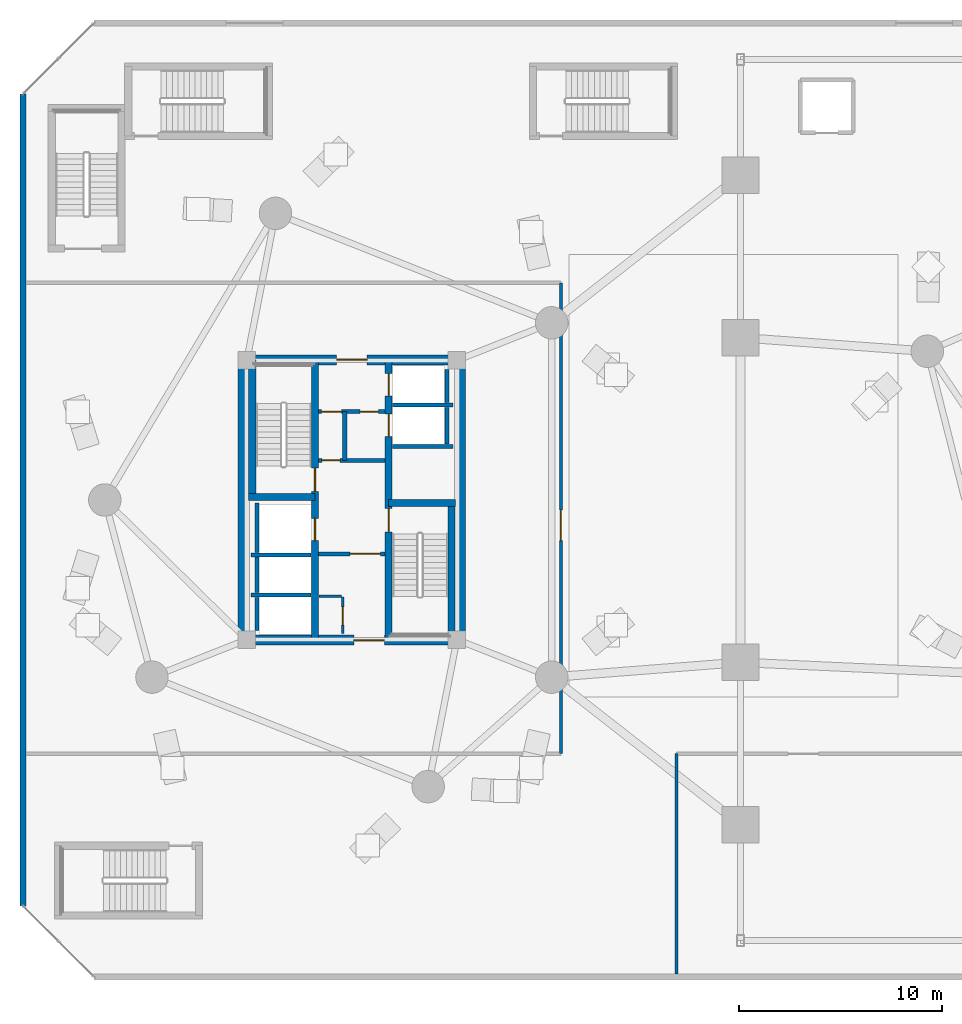
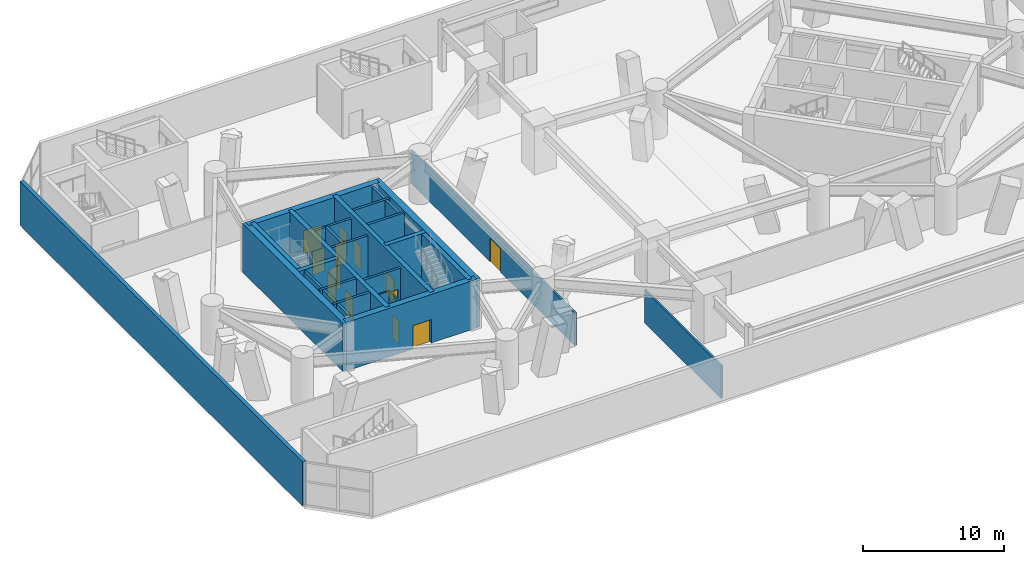
# One storey, part 11 of 20: 28 walls, 13 doors, 13 openings.
"""IFC4 building model written with IfcOpenShell, lengths in metres."""

from ifc_helpers import new_model, si_unit, direction, frame, frame_2d, origin, place, context, subcontext, project, spatial, rectangle, extrude, source, transform, mapped, material, layer, layer_set, type_object, element, fill, save


model = new_model("IFC4")

# Units and contexts
model_context = context("Model", 3, precision=1e-05, world=origin(), true_north=direction((0.0, 1.0)))
body_context = subcontext(model_context, "Body", "Model", "MODEL_VIEW")
ifc_project = project(units=[si_unit("LENGTHUNIT", "METRE"), si_unit("AREAUNIT", "SQUARE_METRE"), si_unit("VOLUMEUNIT", "CUBIC_METRE"), si_unit("PLANEANGLEUNIT", "RADIAN"), si_unit("MASSUNIT", "GRAM", prefix="KILO")], contexts=[model_context])

# Site, building, storey
site_placement = place(None, origin())
site = spatial("IfcSite", under=ifc_project, at=site_placement, CompositionType="ELEMENT")
building_placement = place(site_placement, origin())
building = spatial("IfcBuilding", under=site, at=building_placement, Name="Cununo Teusaquillo Station Towers", CompositionType="ELEMENT")
storey_placement = place(building_placement, frame((0.0, 0.0, 13.199951171875)))
storey = spatial("IfcBuildingStorey", under=building, at=storey_placement, Name="L03", CompositionType="ELEMENT", Elevation=13.199951171875)

# Walls
ifc_material_1 = material(Name="Concrete C50/60", Category="concrete")
ifc_layer_1 = layer(ifc_material_1, 0.199951171875)
ifc_layer_set_1 = layer_set([ifc_layer_1], Name="Concrete C50/60")
wall_type_1 = type_object("IfcWallType", Name="WL-CORE-200", PredefinedType="SHEAR", material=ifc_layer_set_1)
wall_1_placement = place(storey_placement, frame((11.52001953125, 21.800048828125, 0.0), z_axis=(0.0, 0.0, 1.0), x_axis=(1.0, 0.0, 0.0)))
element("IfcWall", 1, at=wall_1_placement, inside=storey, type_object=wall_type_1, Name="L03 Tower A Firefighting Lift Shaft South Shear Wall", PredefinedType="SHEAR", context=body_context, shape_type="SweptSolid", body=[
    extrude(rectangle(XDim=2.969970703125, YDim=0.199951171875, at=frame_2d((1.48486328125, 0.0))), origin(), (0.0, 0.0, 1.0), 4.199951171875),
])
wall_2_placement = place(storey_placement, frame((11.820068359375, 21.919921875, 0.0), z_axis=(0.0, 0.0, 1.0), x_axis=(0.0, 1.0, 0.0)))
element("IfcWall", 2, at=wall_2_placement, inside=storey, type_object=wall_type_1, Name="L03 Tower A Firefighting Lift Shaft Rear Shear Wall", PredefinedType="SHEAR", context=body_context, shape_type="SweptSolid", body=[
    extrude(rectangle(XDim=2.440185546875, YDim=0.199951171875, at=frame_2d((1.22021484375, 0.0))), origin(), (0.0, 0.0, 1.0), 4.199951171875),
])
wall_3_placement = place(storey_placement, frame((11.52001953125, 19.824951171875, 0.0), z_axis=(0.0, 0.0, 1.0), x_axis=(1.0, 0.0, 0.0)))
element("IfcWall", 3, at=wall_3_placement, inside=storey, type_object=wall_type_1, Name="L03 Tower A High-Rise Lift Hoistway Divider Shear Wall", PredefinedType="SHEAR", context=body_context, shape_type="SweptSolid", body=[
    extrude(rectangle(XDim=2.969970703125, YDim=0.199951171875, at=frame_2d((1.48486328125, 0.0))), origin(), (0.0, 0.0, 1.0), 4.199951171875),
])
wall_4_placement = place(storey_placement, frame((11.820068359375, 19.945068359375, 0.0), z_axis=(0.0, 0.0, 1.0), x_axis=(0.0, 1.0, 0.0)))
element("IfcWall", 4, at=wall_4_placement, inside=storey, type_object=wall_type_1, Name="L03 Tower A High-Rise Lift 2 Shaft Rear Shear Wall", PredefinedType="SHEAR", context=body_context, shape_type="SweptSolid", body=[
    extrude(rectangle(XDim=1.73486328125, YDim=0.199951171875, at=frame_2d((0.867431640625, 0.0))), origin(), (0.0, 0.0, 1.0), 4.199951171875),
])
wall_5_placement = place(storey_placement, frame((11.820068359375, 18.070068359375, 0.0), z_axis=(0.0, 0.0, 1.0), x_axis=(0.0, 1.0, 0.0)))
element("IfcWall", 5, at=wall_5_placement, inside=storey, type_object=wall_type_1, Name="L03 Tower A High-Rise Lift 1 Shaft Rear Shear Wall", PredefinedType="SHEAR", context=body_context, shape_type="SweptSolid", body=[
    extrude(rectangle(XDim=1.635009765625, YDim=0.199951171875, at=frame_2d((0.8173828125, 0.0))), origin(), (0.0, 0.0, 1.0), 4.199951171875),
])
for number, where, z_axis, x_axis, name in (
    (6, (18.510009765625, 27.1298828125, 0.0), (0.0, 0.0, 1.0), (1.0, 0.0, 0.0), "L03 Tower A Low-Rise Lift Hoistway South Shear Wall"),
    (7, (18.510009765625, 29.175048828125, 0.0), (0.0, 0.0, 1.0), (1.0, 0.0, 0.0), "L03 Tower A Low-Rise Lift Hoistway Divider Shear Wall"),
):
    element("IfcWall", number, at=place(storey_placement, frame(where, z_axis=z_axis, x_axis=x_axis)), inside=storey, type_object=wall_type_1, Name=name, PredefinedType="SHEAR", context=body_context, shape_type="SweptSolid", body=[
        extrude(rectangle(XDim=2.969970703125, YDim=0.199951171875, at=frame_2d((1.48486328125, 0.0))), origin(), (0.0, 0.0, 1.0), 4.199951171875),
    ])
wall_6_placement = place(storey_placement, frame((21.179931640625, 27.25, 0.0), z_axis=(0.0, 0.0, 1.0), x_axis=(0.0, 1.0, 0.0)))
element("IfcWall", 8, at=wall_6_placement, inside=storey, type_object=wall_type_1, Name="L03 Tower A Low-Rise Lift 1 Shaft Rear Shear Wall", PredefinedType="SHEAR", context=body_context, shape_type="SweptSolid", body=[
    extrude(rectangle(XDim=1.804931640625, YDim=0.199951171875, at=frame_2d((0.90234375, 0.0))), origin(), (0.0, 0.0, 1.0), 4.199951171875),
])
wall_7_placement = place(storey_placement, frame((21.179931640625, 29.294921875, 0.0), z_axis=(0.0, 0.0, 1.0), x_axis=(0.0, 1.0, 0.0)))
element("IfcWall", 9, at=wall_7_placement, inside=storey, type_object=wall_type_1, Name="L03 Tower A Low-Rise Lift 2 Shaft Rear Shear Wall", PredefinedType="SHEAR", context=body_context, shape_type="SweptSolid", body=[
    extrude(rectangle(XDim=1.635009765625, YDim=0.199951171875, at=frame_2d((0.8173828125, 0.0))), origin(), (0.0, 0.0, 1.0), 4.199951171875),
])

# Wall, openings, doors
ifc_material_2 = material(Name="Concrete C50/60", Category="concrete")
ifc_layer_2 = layer(ifc_material_2, 0.35009765625)
ifc_layer_set_2 = layer_set([ifc_layer_2], Name="Concrete C50/60")
wall_type_2 = type_object("IfcWallType", Name="WL-CORE-350", PredefinedType="SHEAR", material=ifc_layer_set_2)
wall_8_placement = place(storey_placement, frame((14.68505859375, 17.60009765625, 0.0), z_axis=(0.0, 0.0, 1.0), x_axis=(0.0, 1.0, 0.0)))
wall_8 = element("IfcWall", 10, at=wall_8_placement, inside=storey, type_object=wall_type_2, Name="L03 Tower A Core Shear Wall IW", PredefinedType="SHEAR", context=body_context, shape_type="SweptSolid", body=[
    extrude(rectangle(XDim=13.7998046875, YDim=0.35009765625, at=frame_2d((6.89990234375, 0.0))), origin(), (0.0, 0.0, 1.0), 4.199951171875),
])
shared_shape_1 = source(origin(), body_context, "Body", "SweptSolid", [
    extrude(rectangle(XDim=1.10009765625, YDim=2.014892578125, at=frame_2d((0.550048828125, 1.00732421875))), frame((0.0, 0.18505859375, 0.0), z_axis=(0.0, -1.0, 0.0), x_axis=(1.0, 0.0, 0.0)), (0.0, 0.0, 1.0), 0.3701171875),
])
opening_1_placement = place(wall_8_placement, frame((4.89990234375, 0.0, 0.0)))
opening_1 = element("IfcOpeningElement", 11, at=opening_1_placement, cuts=wall_8, Name="Opening LD-01", PredefinedType="OPENING", context=body_context, shape_type="MappedRepresentation", body=[
    mapped(shared_shape_1, transform((0.0, 0.0, 0.0), x_axis=(1.0, 0.0, 0.0), y_axis=(0.0, 1.0, 0.0), z_axis=(0.0, 0.0, 1.0), scale=1.0)),
])
shared_shape_2 = source(origin(), body_context, "Body", "SweptSolid", [
    extrude(rectangle(XDim=1.14990234375, YDim=2.02001953125, at=frame_2d((0.574951171875, 1.010009765625))), frame((0.0, 0.18505859375, 0.0), z_axis=(0.0, -1.0, 0.0), x_axis=(1.0, 0.0, 0.0)), (0.0, 0.0, 1.0), 0.3701171875),
])
opening_2_placement = place(wall_8_placement, frame((7.320068359375, 0.0, 0.0)))
opening_2 = element("IfcOpeningElement", 12, at=opening_2_placement, cuts=wall_8, Name="Opening D-ST1", PredefinedType="OPENING", context=body_context, shape_type="MappedRepresentation", body=[
    mapped(shared_shape_2, transform((0.0, 0.0, 0.0), x_axis=(1.0, 0.0, 0.0), y_axis=(0.0, 1.0, 0.0), z_axis=(0.0, 0.0, 1.0), scale=1.0)),
])
ifc_material_3 = material(Name="Galvanised fire-rated hollow steel door assembly", Category="steel")
door_type_1 = type_object("IfcDoorType", Name="DR-LIFT-1100", OperationType="SLIDING_TO_LEFT", PredefinedType="DOOR", material=ifc_material_3)
shared_shape_3 = source(origin(), body_context, "Body", "SweptSolid", [
    extrude(rectangle(XDim=1.10009765625, YDim=2.014892578125, at=frame_2d((0.550048828125, 1.00732421875))), frame((0.0, 0.02490234375, 0.0), z_axis=(0.0, -1.0, 0.0), x_axis=(1.0, 0.0, 0.0)), (0.0, 0.0, 1.0), 0.050048828125),
])
door_1_placement = place(opening_1_placement, origin())
door_1 = element("IfcDoor", 13, at=door_1_placement, inside=storey, type_object=door_type_1, Name="L03 Lift FL-T1 Sliding Landing Door", OperationType="SLIDING_TO_RIGHT", OverallHeight=2.014892578125, OverallWidth=1.10009765625, PredefinedType="DOOR", context=body_context, shape_type="MappedRepresentation", body=[
    mapped(shared_shape_3, transform((0.0, 0.0, 0.0), x_axis=(1.0, 0.0, 0.0), y_axis=(0.0, 1.0, 0.0), z_axis=(0.0, 0.0, 1.0), scale=1.0)),
])
fill(opening_1, door_1)
ifc_material_4 = material(Name="Galvanised fire-rated hollow steel door assembly", Category="steel")
door_type_2 = type_object("IfcDoorType", Name="DR-STAIR-1150", OperationType="NOTDEFINED", PredefinedType="DOOR", material=ifc_material_4)
shared_shape_4 = source(origin(), body_context, "Body", "SweptSolid", [
    extrude(rectangle(XDim=1.14990234375, YDim=2.02001953125, at=frame_2d((0.574951171875, 1.010009765625))), frame((0.0, 0.02490234375, 0.0), z_axis=(0.0, -1.0, 0.0), x_axis=(1.0, 0.0, 0.0)), (0.0, 0.0, 1.0), 0.050048828125),
])
door_2_placement = place(opening_2_placement, origin())
door_2 = element("IfcDoor", 14, at=door_2_placement, inside=storey, type_object=door_type_2, Name="L03 Tower A Exit Stair 1 Fire Door", OperationType="SINGLE_SWING_LEFT", OverallHeight=2.02001953125, OverallWidth=1.14990234375, PredefinedType="DOOR", context=body_context, shape_type="MappedRepresentation", body=[
    mapped(shared_shape_4, transform((0.0, 0.0, 0.0), x_axis=(1.0, 0.0, 0.0), y_axis=(0.0, 1.0, 0.0), z_axis=(0.0, 0.0, 1.0), scale=1.0)),
])
fill(opening_2, door_2)

wall_9_placement = place(storey_placement, frame((18.31494140625, 17.60009765625, 0.0), z_axis=(0.0, 0.0, 1.0), x_axis=(0.0, 1.0, 0.0)))
wall_9 = element("IfcWall", 15, at=wall_9_placement, inside=storey, type_object=wall_type_2, Name="L03 Tower A Core Shear Wall IE", PredefinedType="SHEAR", context=body_context, shape_type="SweptSolid", body=[
    extrude(rectangle(XDim=13.7998046875, YDim=0.35009765625, at=frame_2d((6.89990234375, 0.0))), origin(), (0.0, 0.0, 1.0), 4.199951171875),
])
opening_3_placement = place(wall_9_placement, frame((10.02490234375, 0.0, 0.0)))
opening_3 = element("IfcOpeningElement", 16, at=opening_3_placement, cuts=wall_9, Name="Opening LD-01", PredefinedType="OPENING", context=body_context, shape_type="MappedRepresentation", body=[
    mapped(shared_shape_1, transform((0.0, 0.0, 0.0), x_axis=(1.0, 0.0, 0.0), y_axis=(0.0, 1.0, 0.0), z_axis=(0.0, 0.0, 1.0), scale=1.0)),
])
opening_4_placement = place(wall_9_placement, frame((12.02490234375, 0.0, 0.0)))
opening_4 = element("IfcOpeningElement", 17, at=opening_4_placement, cuts=wall_9, Name="Opening LD-01", PredefinedType="OPENING", context=body_context, shape_type="MappedRepresentation", body=[
    mapped(shared_shape_1, transform((0.0, 0.0, 0.0), x_axis=(1.0, 0.0, 0.0), y_axis=(0.0, 1.0, 0.0), z_axis=(0.0, 0.0, 1.0), scale=1.0)),
])
opening_5_placement = place(wall_9_placement, frame((5.330078125, 0.0, 0.0)))
opening_5 = element("IfcOpeningElement", 18, at=opening_5_placement, cuts=wall_9, Name="Opening D-ST1", PredefinedType="OPENING", context=body_context, shape_type="MappedRepresentation", body=[
    mapped(shared_shape_2, transform((0.0, 0.0, 0.0), x_axis=(1.0, 0.0, 0.0), y_axis=(0.0, 1.0, 0.0), z_axis=(0.0, 0.0, 1.0), scale=1.0)),
])
door_3_placement = place(opening_3_placement, origin())
door_3 = element("IfcDoor", 19, at=door_3_placement, inside=storey, type_object=door_type_1, Name="L03 Lift PL-T1-L1 Sliding Landing Door", OperationType="SLIDING_TO_LEFT", OverallHeight=2.014892578125, OverallWidth=1.10009765625, PredefinedType="DOOR", context=body_context, shape_type="MappedRepresentation", body=[
    mapped(shared_shape_3, transform((0.0, 0.0, 0.0), x_axis=(1.0, 0.0, 0.0), y_axis=(0.0, 1.0, 0.0), z_axis=(0.0, 0.0, 1.0), scale=1.0)),
])
fill(opening_3, door_3)
door_4_placement = place(opening_4_placement, origin())
door_4 = element("IfcDoor", 20, at=door_4_placement, inside=storey, type_object=door_type_1, Name="L03 Lift PL-T1-L2 Sliding Landing Door", OperationType="SLIDING_TO_RIGHT", OverallHeight=2.014892578125, OverallWidth=1.10009765625, PredefinedType="DOOR", context=body_context, shape_type="MappedRepresentation", body=[
    mapped(shared_shape_3, transform((0.0, 0.0, 0.0), x_axis=(1.0, 0.0, 0.0), y_axis=(0.0, 1.0, 0.0), z_axis=(0.0, 0.0, 1.0), scale=1.0)),
])
fill(opening_4, door_4)
door_5_placement = place(opening_5_placement, origin())
door_5 = element("IfcDoor", 21, at=door_5_placement, inside=storey, type_object=door_type_2, Name="L03 Tower A Exit Stair 2 Fire Door", OperationType="SINGLE_SWING_RIGHT", OverallHeight=2.02001953125, OverallWidth=1.14990234375, PredefinedType="DOOR", context=body_context, shape_type="MappedRepresentation", body=[
    mapped(shared_shape_4, transform((0.0, 0.0, 0.0), x_axis=(1.0, 0.0, 0.0), y_axis=(0.0, 1.0, 0.0), z_axis=(0.0, 0.0, 1.0), scale=1.0)),
])
fill(opening_5, door_5)

# Walls
wall_10_placement = place(storey_placement, frame((11.594970703125, 24.655029296875, 0.0), z_axis=(0.0, 0.0, 1.0), x_axis=(0.0, 1.0, 0.0)))
element("IfcWall", 22, at=wall_10_placement, inside=storey, type_object=wall_type_2, Name="L03 Tower A Core Shear Wall ST1W", PredefinedType="SHEAR", context=body_context, shape_type="SweptSolid", body=[
    extrude(rectangle(XDim=6.744873046875, YDim=0.35009765625, at=frame_2d((3.37255859375, 0.0))), origin(), (0.0, 0.0, 1.0), 4.199951171875),
])
wall_11_placement = place(storey_placement, frame((11.39990234375, 24.655029296875, 0.0), z_axis=(0.0, 0.0, 1.0), x_axis=(1.0, 0.0, 0.0)))
element("IfcWall", 23, at=wall_11_placement, inside=storey, type_object=wall_type_2, Name="L03 Tower A Core Shear Wall ST1S", PredefinedType="SHEAR", context=body_context, shape_type="SweptSolid", body=[
    extrude(rectangle(XDim=3.28515625, YDim=0.35009765625, at=frame_2d((1.642578125, 0.0))), origin(), (0.0, 0.0, 1.0), 4.199951171875),
])
wall_12_placement = place(storey_placement, frame((21.405029296875, 17.60009765625, 0.0), z_axis=(0.0, 0.0, 1.0), x_axis=(0.0, 1.0, 0.0)))
element("IfcWall", 24, at=wall_12_placement, inside=storey, type_object=wall_type_2, Name="L03 Tower A Core Shear Wall ST2E", PredefinedType="SHEAR", context=body_context, shape_type="SweptSolid", body=[
    extrude(rectangle(XDim=6.744873046875, YDim=0.35009765625, at=frame_2d((3.37255859375, 0.0))), origin(), (0.0, 0.0, 1.0), 4.199951171875),
])
wall_13_placement = place(storey_placement, frame((18.31494140625, 24.344970703125, 0.0), z_axis=(0.0, 0.0, 1.0), x_axis=(1.0, 0.0, 0.0)))
element("IfcWall", 25, at=wall_13_placement, inside=storey, type_object=wall_type_2, Name="L03 Tower A Core Shear Wall ST2N", PredefinedType="SHEAR", context=body_context, shape_type="SweptSolid", body=[
    extrude(rectangle(XDim=3.28515625, YDim=0.35009765625, at=frame_2d((1.642578125, 0.0))), origin(), (0.0, 0.0, 1.0), 4.199951171875),
])
ifc_material_5 = material(Name="Concrete C60/75", Category="concrete")
ifc_layer_3 = layer(ifc_material_5, 0.5)
ifc_layer_set_3 = layer_set([ifc_layer_3], Name="Concrete C60/75")
wall_type_3 = type_object("IfcWallType", Name="WL-CORE-500", PredefinedType="SHEAR", material=ifc_layer_set_3)
for number, where, z_axis, x_axis, name in (
    (26, (11.14990234375, 17.35009765625, 0.0), (0.0, 0.0, 1.0), (0.0, 1.0, 0.0), "L03 Tower A Core Shear Wall W"),
    (27, (21.85009765625, 17.35009765625, 0.0), (0.0, 0.0, 1.0), (0.0, 1.0, 0.0), "L03 Tower A Core Shear Wall E"),
):
    element("IfcWall", number, at=place(storey_placement, frame(where, z_axis=z_axis, x_axis=x_axis)), inside=storey, type_object=wall_type_3, Name=name, PredefinedType="SHEAR", context=body_context, shape_type="SweptSolid", body=[
        extrude(rectangle(XDim=14.2998046875, YDim=0.5, at=frame_2d((7.14990234375, 0.0))), origin(), (0.0, 0.0, 1.0), 4.199951171875),
    ])

# Wall, opening, door
wall_14_placement = place(storey_placement, frame((11.14990234375, 17.60009765625, 0.0), z_axis=(0.0, 0.0, 1.0), x_axis=(1.0, 0.0, 0.0)))
wall_14 = element("IfcWall", 28, at=wall_14_placement, inside=storey, type_object=wall_type_3, Name="L03 Tower A Core Shear Wall S", PredefinedType="SHEAR", context=body_context, shape_type="SweptSolid", body=[
    extrude(rectangle(XDim=10.7001953125, YDim=0.5, at=frame_2d((5.35009765625, 0.0))), origin(), (0.0, 0.0, 1.0), 4.199951171875),
])
shared_shape_5 = source(origin(), body_context, "Body", "SweptSolid", [
    extrude(rectangle(XDim=1.5, YDim=2.02001953125, at=frame_2d((0.75, 1.010009765625))), frame((0.0, 0.260009765625, 0.0), z_axis=(0.0, -1.0, 0.0), x_axis=(1.0, 0.0, 0.0)), (0.0, 0.0, 1.0), 0.52001953125),
])
opening_6_placement = place(wall_14_placement, frame((5.449951171875, 0.0, 0.0)))
opening_6 = element("IfcOpeningElement", 29, at=opening_6_placement, cuts=wall_14, Name="Opening D-LB1", PredefinedType="OPENING", context=body_context, shape_type="MappedRepresentation", body=[
    mapped(shared_shape_5, transform((0.0, 0.0, 0.0), x_axis=(1.0, 0.0, 0.0), y_axis=(0.0, 1.0, 0.0), z_axis=(0.0, 0.0, 1.0), scale=1.0)),
])
ifc_material_6 = material(Name="Galvanised fire-rated hollow steel door assembly", Category="steel")
door_type_3 = type_object("IfcDoorType", Name="DR-LOBBY-1500", OperationType="DOUBLE_DOOR_SINGLE_SWING", PredefinedType="DOOR", material=ifc_material_6)
shared_shape_6 = source(origin(), body_context, "Body", "SweptSolid", [
    extrude(rectangle(XDim=1.5, YDim=2.02001953125, at=frame_2d((0.75, 1.010009765625))), frame((0.0, 0.02490234375, 0.0), z_axis=(0.0, -1.0, 0.0), x_axis=(1.0, 0.0, 0.0)), (0.0, 0.0, 1.0), 0.050048828125),
])
door_6_placement = place(opening_6_placement, origin())
door_6 = element("IfcDoor", 30, at=door_6_placement, inside=storey, type_object=door_type_3, Name="L03 Tower A South Core Lift Lobby Door", OperationType="DOUBLE_DOOR_SINGLE_SWING", OverallHeight=2.02001953125, OverallWidth=1.5, PredefinedType="DOOR", context=body_context, shape_type="MappedRepresentation", body=[
    mapped(shared_shape_6, transform((0.0, 0.0, 0.0), x_axis=(1.0, 0.0, 0.0), y_axis=(0.0, 1.0, 0.0), z_axis=(0.0, 0.0, 1.0), scale=1.0)),
])
fill(opening_6, door_6)

wall_15_placement = place(storey_placement, frame((11.14990234375, 31.39990234375, 0.0), z_axis=(0.0, 0.0, 1.0), x_axis=(1.0, 0.0, 0.0)))
wall_15 = element("IfcWall", 31, at=wall_15_placement, inside=storey, type_object=wall_type_3, Name="L03 Tower A Core Shear Wall N", PredefinedType="SHEAR", context=body_context, shape_type="SweptSolid", body=[
    extrude(rectangle(XDim=10.7001953125, YDim=0.5, at=frame_2d((5.35009765625, 0.0))), origin(), (0.0, 0.0, 1.0), 4.199951171875),
])
opening_7_placement = place(wall_15_placement, frame((4.60009765625, 0.0, 0.0)))
opening_7 = element("IfcOpeningElement", 32, at=opening_7_placement, cuts=wall_15, Name="Opening D-LB1", PredefinedType="OPENING", context=body_context, shape_type="MappedRepresentation", body=[
    mapped(shared_shape_5, transform((0.0, 0.0, 0.0), x_axis=(1.0, 0.0, 0.0), y_axis=(0.0, 1.0, 0.0), z_axis=(0.0, 0.0, 1.0), scale=1.0)),
])
door_7_placement = place(opening_7_placement, origin())
door_7 = element("IfcDoor", 33, at=door_7_placement, inside=storey, type_object=door_type_3, Name="L03 Tower A North Core Lift Lobby Door", OperationType="DOUBLE_DOOR_SINGLE_SWING", OverallHeight=2.02001953125, OverallWidth=1.5, PredefinedType="DOOR", context=body_context, shape_type="MappedRepresentation", body=[
    mapped(shared_shape_6, transform((0.0, 0.0, 0.0), x_axis=(1.0, 0.0, 0.0), y_axis=(0.0, 1.0, 0.0), z_axis=(0.0, 0.0, 1.0), scale=1.0)),
])
fill(opening_7, door_7)

# Wall
ifc_material_7 = material(Name="Precast concrete C40/50", Category="concrete")
ifc_layer_4 = layer(ifc_material_7, 0.300048828125)
ifc_layer_set_4 = layer_set([ifc_layer_4], Name="Precast concrete C40/50")
wall_type_4 = type_object("IfcWallType", Name="WL-EXT-300", PredefinedType="SOLIDWALL", material=ifc_layer_set_4)
wall_16_placement = place(storey_placement, frame((0.300048828125, 4.5, 0.0), z_axis=(0.0, 0.0, 1.0), x_axis=(0.0, 1.0, 0.0)))
element("IfcWall", 34, at=wall_16_placement, inside=storey, type_object=wall_type_4, Name="L03 Station Podium Facade Wall 1", PredefinedType="SOLIDWALL", context=body_context, shape_type="SweptSolid", body=[
    extrude(rectangle(XDim=40.0, YDim=0.300048828125, at=frame_2d((20.0, 0.0))), origin(), (0.0, 0.0, 1.0), 3.800048828125),
])

# Wall, opening, door
ifc_material_8 = material(Name="Fire-rated gypsum plasterboard partition assembly", Category="gypsum")
ifc_layer_5 = layer(ifc_material_8, 0.125)
ifc_layer_set_5 = layer_set([ifc_layer_5], Name="Fire-rated gypsum plasterboard partition assembly")
wall_type_5 = type_object("IfcWallType", Name="WL-PART-125", PredefinedType="PARTITIONING", material=ifc_layer_set_5)
wall_17_placement = place(storey_placement, frame((16.050048828125, 17.919921875, 0.0), z_axis=(0.0, 0.0, 1.0), x_axis=(0.0, 1.0, 0.0)))
wall_17 = element("IfcWall", 35, at=wall_17_placement, inside=storey, type_object=wall_type_5, Name="L03 Tower A South-West Compact Store East Wall", PredefinedType="PARTITIONING", context=body_context, shape_type="SweptSolid", body=[
    extrude(rectangle(XDim=1.800048828125, YDim=0.125, at=frame_2d((0.89990234375, 0.0))), origin(), (0.0, 0.0, 1.0), 3.800048828125),
])
shared_shape_7 = source(origin(), body_context, "Body", "SweptSolid", [
    extrude(rectangle(XDim=0.89990234375, YDim=2.0048828125, at=frame_2d((0.449951171875, 1.00244140625))), frame((0.0, 0.072509765625, 0.0), z_axis=(0.0, -1.0, 0.0), x_axis=(1.0, 0.0, 0.0)), (0.0, 0.0, 1.0), 0.14501953125),
])
opening_8_placement = place(wall_17_placement, frame((0.419921875, 0.0, 0.0)))
opening_8 = element("IfcOpeningElement", 36, at=opening_8_placement, cuts=wall_17, Name="Opening D-SR1", PredefinedType="OPENING", context=body_context, shape_type="MappedRepresentation", body=[
    mapped(shared_shape_7, transform((0.0, 0.0, 0.0), x_axis=(1.0, 0.0, 0.0), y_axis=(0.0, 1.0, 0.0), z_axis=(0.0, 0.0, 1.0), scale=1.0)),
])
ifc_material_9 = material(Name="Galvanised fire-rated hollow steel door assembly", Category="steel")
door_type_4 = type_object("IfcDoorType", Name="DR-STORE-900", OperationType="NOTDEFINED", PredefinedType="DOOR", material=ifc_material_9)
shared_shape_8 = source(origin(), body_context, "Body", "SweptSolid", [
    extrude(rectangle(XDim=0.89990234375, YDim=2.0048828125, at=frame_2d((0.449951171875, 1.00244140625))), frame((0.0, 0.02490234375, 0.0), z_axis=(0.0, -1.0, 0.0), x_axis=(1.0, 0.0, 0.0)), (0.0, 0.0, 1.0), 0.050048828125),
])
door_8_placement = place(opening_8_placement, origin())
door_8 = element("IfcDoor", 37, at=door_8_placement, inside=storey, type_object=door_type_4, Name="L03 Tower A Core Electrical & Comms Store Door", OperationType="SINGLE_SWING_LEFT", OverallHeight=2.0048828125, OverallWidth=0.89990234375, PredefinedType="DOOR", context=body_context, shape_type="MappedRepresentation", body=[
    mapped(shared_shape_8, transform((0.0, 0.0, 0.0), x_axis=(1.0, 0.0, 0.0), y_axis=(0.0, 1.0, 0.0), z_axis=(0.0, 0.0, 1.0), scale=1.0)),
])
fill(opening_8, door_8)

# Wall
wall_18_placement = place(storey_placement, frame((14.8798828125, 19.75, 0.0), z_axis=(0.0, 0.0, 1.0), x_axis=(1.0, 0.0, 0.0)))
element("IfcWall", 38, at=wall_18_placement, inside=storey, type_object=wall_type_5, Name="L03 Tower A South-West Compact Store North Wall", PredefinedType="PARTITIONING", context=body_context, shape_type="SweptSolid", body=[
    extrude(rectangle(XDim=1.10009765625, YDim=0.125, at=frame_2d((0.550048828125, 0.0))), origin(), (0.0, 0.0, 1.0), 3.800048828125),
])

# Wall, opening, door
ifc_material_10 = material(Name="Fire-rated gypsum plasterboard partition assembly", Category="gypsum")
ifc_layer_6 = layer(ifc_material_10, 0.159912109375)
ifc_layer_set_6 = layer_set([ifc_layer_6], Name="Fire-rated gypsum plasterboard partition assembly")
wall_type_6 = type_object("IfcWallType", Name="WL-PART-160", PredefinedType="PARTITIONING", material=ifc_layer_set_6)
wall_19_placement = place(storey_placement, frame((26.800048828125, 12.0, 0.0), z_axis=(0.0, 0.0, 1.0), x_axis=(0.0, 1.0, 0.0)))
wall_19 = element("IfcWall", 39, at=wall_19_placement, inside=storey, type_object=wall_type_6, Name="L03 Station Gallery West Concourse Wall", PredefinedType="PARTITIONING", context=body_context, shape_type="SweptSolid", body=[
    extrude(rectangle(XDim=23.199951171875, YDim=0.159912109375, at=frame_2d((11.60009765625, 0.0))), origin(), (0.0, 0.0, 1.0), 2.839111328125),
])
shared_shape_9 = source(origin(), body_context, "Body", "SweptSolid", [
    extrude(rectangle(XDim=1.5, YDim=2.02001953125, at=frame_2d((0.75, 1.010009765625))), frame((0.0, 0.08984375, 0.0), z_axis=(0.0, -1.0, 0.0), x_axis=(1.0, 0.0, 0.0)), (0.0, 0.0, 1.0), 0.179931640625),
])
opening_9_placement = place(wall_19_placement, frame((10.5, 0.0, 0.0)))
opening_9 = element("IfcOpeningElement", 40, at=opening_9_placement, cuts=wall_19, Name="Opening D-LB1", PredefinedType="OPENING", context=body_context, shape_type="MappedRepresentation", body=[
    mapped(shared_shape_9, transform((0.0, 0.0, 0.0), x_axis=(1.0, 0.0, 0.0), y_axis=(0.0, 1.0, 0.0), z_axis=(0.0, 0.0, 1.0), scale=1.0)),
])
door_9_placement = place(opening_9_placement, origin())
door_9 = element("IfcDoor", 41, at=door_9_placement, inside=storey, type_object=door_type_3, Name="L03 West Gallery Wing Door", OperationType="DOUBLE_DOOR_SINGLE_SWING", OverallHeight=2.02001953125, OverallWidth=1.5, PredefinedType="DOOR", context=body_context, shape_type="MappedRepresentation", body=[
    mapped(shared_shape_6, transform((0.0, 0.0, 0.0), x_axis=(1.0, 0.0, 0.0), y_axis=(0.0, 1.0, 0.0), z_axis=(0.0, 0.0, 1.0), scale=1.0)),
])
fill(opening_9, door_9)

# Wall
wall_20_placement = place(storey_placement, frame((32.5, 1.14990234375, 0.0), z_axis=(0.0, 0.0, 1.0), x_axis=(0.0, 1.0, 0.0)))
element("IfcWall", 42, at=wall_20_placement, inside=storey, type_object=wall_type_6, Name="L03 South Wing West Wall", PredefinedType="PARTITIONING", context=body_context, shape_type="SweptSolid", body=[
    extrude(rectangle(XDim=10.85009765625, YDim=0.159912109375, at=frame_2d((5.425048828125, 0.0))), origin(), (0.0, 0.0, 1.0), 2.839111328125),
])

# Wall, opening, door
ifc_material_11 = material(Name="Fire-rated gypsum plasterboard partition assembly", Category="gypsum")
ifc_layer_7 = layer(ifc_material_11, 0.199951171875)
ifc_layer_set_7 = layer_set([ifc_layer_7], Name="Fire-rated gypsum plasterboard partition assembly")
wall_type_7 = type_object("IfcWallType", Name="WL-PART-200", PredefinedType="PARTITIONING", material=ifc_layer_set_7)
wall_21_placement = place(storey_placement, frame((14.860107421875, 21.85009765625, 0.0), z_axis=(0.0, 0.0, 1.0), x_axis=(1.0, 0.0, 0.0)))
wall_21 = element("IfcWall", 43, at=wall_21_placement, inside=storey, type_object=wall_type_7, Name="L03 Tower A Firefighting Lift Lobby South Fire Wall", PredefinedType="PARTITIONING", context=body_context, shape_type="SweptSolid", body=[
    extrude(rectangle(XDim=3.27978515625, YDim=0.199951171875, at=frame_2d((1.639892578125, 0.0))), origin(), (0.0, 0.0, 1.0), 3.800048828125),
])
shared_shape_10 = source(origin(), body_context, "Body", "SweptSolid", [
    extrude(rectangle(XDim=1.5, YDim=2.02001953125, at=frame_2d((0.75, 1.010009765625))), frame((0.0, 0.10986328125, 0.0), z_axis=(0.0, -1.0, 0.0), x_axis=(1.0, 0.0, 0.0)), (0.0, 0.0, 1.0), 0.219970703125),
])
opening_10_placement = place(wall_21_placement, frame((1.550048828125, 0.0, 0.0)))
opening_10 = element("IfcOpeningElement", 44, at=opening_10_placement, cuts=wall_21, Name="Opening D-LB1", PredefinedType="OPENING", context=body_context, shape_type="MappedRepresentation", body=[
    mapped(shared_shape_10, transform((0.0, 0.0, 0.0), x_axis=(1.0, 0.0, 0.0), y_axis=(0.0, 1.0, 0.0), z_axis=(0.0, 0.0, 1.0), scale=1.0)),
])
door_10_placement = place(opening_10_placement, origin())
door_10 = element("IfcDoor", 45, at=door_10_placement, inside=storey, type_object=door_type_3, Name="L03 Tower A Firefighting Lift Lobby South Fire Door", OperationType="DOUBLE_DOOR_SINGLE_SWING", OverallHeight=2.02001953125, OverallWidth=1.5, PredefinedType="DOOR", context=body_context, shape_type="MappedRepresentation", body=[
    mapped(shared_shape_6, transform((0.0, 0.0, 0.0), x_axis=(1.0, 0.0, 0.0), y_axis=(0.0, 1.0, 0.0), z_axis=(0.0, 0.0, 1.0), scale=1.0)),
])
fill(opening_10, door_10)

wall_22_placement = place(storey_placement, frame((14.860107421875, 26.449951171875, 0.0), z_axis=(0.0, 0.0, 1.0), x_axis=(1.0, 0.0, 0.0)))
wall_22 = element("IfcWall", 46, at=wall_22_placement, inside=storey, type_object=wall_type_7, Name="L03 Tower A Firefighting Lift Lobby North Fire Wall", PredefinedType="PARTITIONING", context=body_context, shape_type="SweptSolid", body=[
    extrude(rectangle(XDim=3.27978515625, YDim=0.199951171875, at=frame_2d((1.639892578125, 0.0))), origin(), (0.0, 0.0, 1.0), 3.800048828125),
])
shared_shape_11 = source(origin(), body_context, "Body", "SweptSolid", [
    extrude(rectangle(XDim=0.89990234375, YDim=2.0048828125, at=frame_2d((0.449951171875, 1.00244140625))), frame((0.0, 0.10986328125, 0.0), z_axis=(0.0, -1.0, 0.0), x_axis=(1.0, 0.0, 0.0)), (0.0, 0.0, 1.0), 0.219970703125),
])
opening_11_placement = place(wall_22_placement, frame((0.159912109375, 0.0, 0.0)))
opening_11 = element("IfcOpeningElement", 47, at=opening_11_placement, cuts=wall_22, Name="Opening D-SR1", PredefinedType="OPENING", context=body_context, shape_type="MappedRepresentation", body=[
    mapped(shared_shape_11, transform((0.0, 0.0, 0.0), x_axis=(1.0, 0.0, 0.0), y_axis=(0.0, 1.0, 0.0), z_axis=(0.0, 0.0, 1.0), scale=1.0)),
])
door_11_placement = place(opening_11_placement, origin())
door_11 = element("IfcDoor", 48, at=door_11_placement, inside=storey, type_object=door_type_4, Name="L03 Tower A Stair 1 Protected Vestibule South Door", OperationType="SINGLE_SWING_LEFT", OverallHeight=2.0048828125, OverallWidth=0.89990234375, PredefinedType="DOOR", context=body_context, shape_type="MappedRepresentation", body=[
    mapped(shared_shape_8, transform((0.0, 0.0, 0.0), x_axis=(1.0, 0.0, 0.0), y_axis=(0.0, 1.0, 0.0), z_axis=(0.0, 0.0, 1.0), scale=1.0)),
])
fill(opening_11, door_11)

# Wall
wall_23_placement = place(storey_placement, frame((16.14990234375, 26.449951171875, 0.0), z_axis=(0.0, 0.0, 1.0), x_axis=(0.0, 1.0, 0.0)))
element("IfcWall", 49, at=wall_23_placement, inside=storey, type_object=wall_type_7, Name="L03 Tower A Stair 1 Vestibule Partition Wall", PredefinedType="PARTITIONING", context=body_context, shape_type="SweptSolid", body=[
    extrude(rectangle(XDim=2.400146484375, YDim=0.199951171875, at=frame_2d((1.2001953125, 0.0))), origin(), (0.0, 0.0, 1.0), 3.800048828125),
])

# Wall, openings, doors
wall_24_placement = place(storey_placement, frame((14.860107421875, 28.85009765625, 0.0), z_axis=(0.0, 0.0, 1.0), x_axis=(1.0, 0.0, 0.0)))
wall_24 = element("IfcWall", 50, at=wall_24_placement, inside=storey, type_object=wall_type_7, Name="L03 Tower A North Lift Lobby South Fire Wall", PredefinedType="PARTITIONING", context=body_context, shape_type="SweptSolid", body=[
    extrude(rectangle(XDim=3.27978515625, YDim=0.199951171875, at=frame_2d((1.639892578125, 0.0))), origin(), (0.0, 0.0, 1.0), 3.800048828125),
])
shared_shape_12 = source(origin(), body_context, "Body", "SweptSolid", [
    extrude(rectangle(XDim=1.0, YDim=2.014892578125, at=frame_2d((0.5, 1.00732421875))), frame((0.0, 0.10986328125, 0.0), z_axis=(0.0, -1.0, 0.0), x_axis=(1.0, 0.0, 0.0)), (0.0, 0.0, 1.0), 0.219970703125),
])
opening_12_placement = place(wall_24_placement, frame((0.139892578125, 0.0, 0.0)))
opening_12 = element("IfcOpeningElement", 51, at=opening_12_placement, cuts=wall_24, Name="Opening D-AC1", PredefinedType="OPENING", context=body_context, shape_type="MappedRepresentation", body=[
    mapped(shared_shape_12, transform((0.0, 0.0, 0.0), x_axis=(1.0, 0.0, 0.0), y_axis=(0.0, 1.0, 0.0), z_axis=(0.0, 0.0, 1.0), scale=1.0)),
])
opening_13_placement = place(wall_24_placement, frame((2.050048828125, 0.0, 0.0)))
opening_13 = element("IfcOpeningElement", 52, at=opening_13_placement, cuts=wall_24, Name="Opening D-SR1", PredefinedType="OPENING", context=body_context, shape_type="MappedRepresentation", body=[
    mapped(shared_shape_11, transform((0.0, 0.0, 0.0), x_axis=(1.0, 0.0, 0.0), y_axis=(0.0, 1.0, 0.0), z_axis=(0.0, 0.0, 1.0), scale=1.0)),
])
door_12_placement = place(opening_13_placement, origin())
door_12 = element("IfcDoor", 53, at=door_12_placement, inside=storey, type_object=door_type_4, Name="L03 Tower A Core Housekeeping & Linen Store Door", OperationType="SINGLE_SWING_RIGHT", OverallHeight=2.0048828125, OverallWidth=0.89990234375, PredefinedType="DOOR", context=body_context, shape_type="MappedRepresentation", body=[
    mapped(shared_shape_8, transform((0.0, 0.0, 0.0), x_axis=(1.0, 0.0, 0.0), y_axis=(0.0, 1.0, 0.0), z_axis=(0.0, 0.0, 1.0), scale=1.0)),
])
fill(opening_13, door_12)
ifc_material_12 = material(Name="Acoustic solid-core hardwood leaf assembly", Category="wood")
door_type_5 = type_object("IfcDoorType", Name="DR-ACC-1000", OperationType="NOTDEFINED", PredefinedType="DOOR", material=ifc_material_12)
shared_shape_13 = source(origin(), body_context, "Body", "SweptSolid", [
    extrude(rectangle(XDim=1.0, YDim=2.014892578125, at=frame_2d((0.5, 1.00732421875))), frame((0.0, 0.02490234375, 0.0), z_axis=(0.0, -1.0, 0.0), x_axis=(1.0, 0.0, 0.0)), (0.0, 0.0, 1.0), 0.050048828125),
])
door_13_placement = place(opening_12_placement, origin())
door_13 = element("IfcDoor", 54, at=door_13_placement, inside=storey, type_object=door_type_5, Name="L03 Tower A North Lift Lobby to Stair 1 Vestibule Door", OperationType="SINGLE_SWING_RIGHT", OverallHeight=2.014892578125, OverallWidth=1.0, PredefinedType="DOOR", context=body_context, shape_type="MappedRepresentation", body=[
    mapped(shared_shape_13, transform((0.0, 0.0, 0.0), x_axis=(1.0, 0.0, 0.0), y_axis=(0.0, 1.0, 0.0), z_axis=(0.0, 0.0, 1.0), scale=1.0)),
])
fill(opening_12, door_13)

save(model, "model.ifc")
